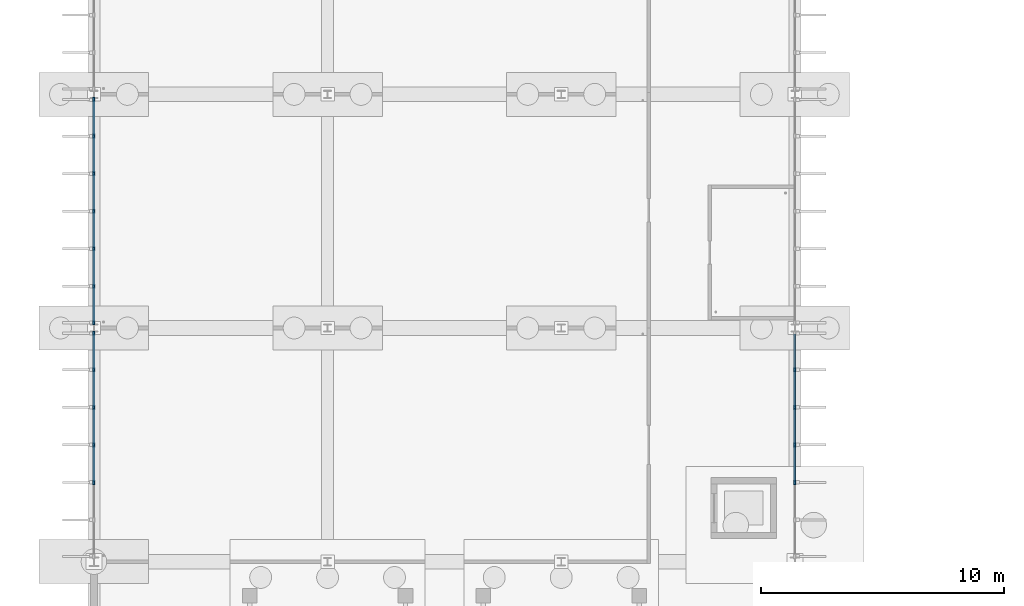
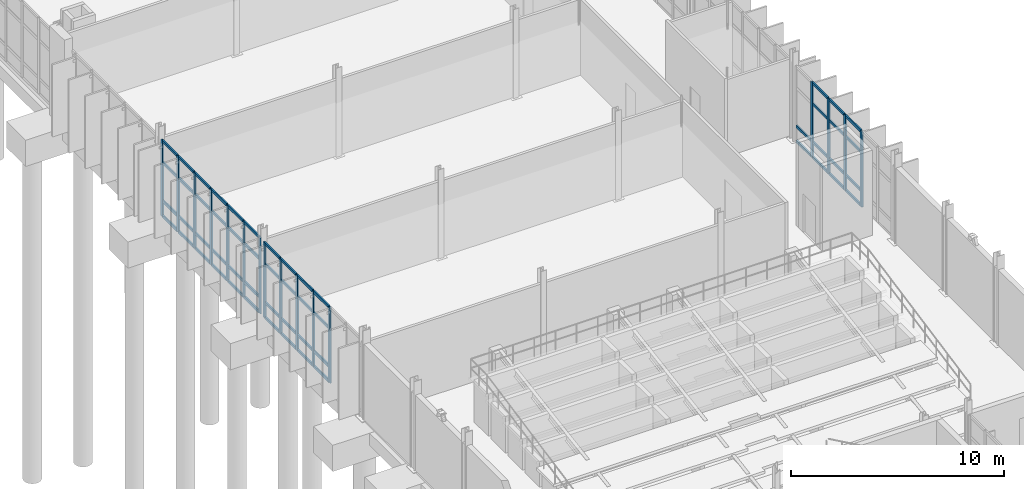
# One storey, part 31 of 111: 70 members, 3 elements without a shape of their own.
"""IFC4 building model written with IfcOpenShell, lengths in metres."""

from ifc_helpers import new_model, si_unit, direction, frame, origin, origin_2d, place, context, subcontext, project, spatial, rectangle, extrude, material, material_profile, profile_set, type_object, element, aggregate, save


model = new_model("IFC4")

# Units and contexts
model_context = context("Model", 3, precision=1e-05, world=origin(), true_north=direction((0.0, 1.0)))
body_context = subcontext(model_context, "Body", "Model", "MODEL_VIEW")
ifc_project = project(units=[si_unit("LENGTHUNIT", "METRE"), si_unit("AREAUNIT", "SQUARE_METRE"), si_unit("VOLUMEUNIT", "CUBIC_METRE"), si_unit("PLANEANGLEUNIT", "RADIAN"), si_unit("MASSUNIT", "GRAM", prefix="KILO")], contexts=[model_context])

# Site, building, storey
site_placement = place(None, origin())
site = spatial("IfcSite", under=ifc_project, at=site_placement, CompositionType="ELEMENT")
building_placement = place(site_placement, origin())
building = spatial("IfcBuilding", under=site, at=building_placement, Name="Dunescarp Central Library", CompositionType="ELEMENT")
storey_placement = place(building_placement, origin())
storey = spatial("IfcBuildingStorey", under=building, at=storey_placement, Name="L00", CompositionType="ELEMENT", Elevation=0.0)

# Curtain wall, members
ifc_material = material(Name="Marine-grade anodised aluminium 6063-T6", Category="aluminium")
curtain_wall_type = type_object("IfcCurtainWallType", Name="ARC-CW-STICK", PredefinedType="NOTDEFINED", material=ifc_material)
curtain_wall_1_placement = place(storey_placement, origin())
curtain_wall_1 = element("IfcCurtainWall", 1, at=curtain_wall_1_placement, inside=storey, type_object=curtain_wall_type, Name="L00 curtain wall CW-V4-112", PredefinedType="NOTDEFINED")
ifc_material_profile_1 = material_profile(ifc_material, rectangle(XDim=0.080078125, YDim=0.179931640625, at=origin_2d()), Name="AL 80x180")
ifc_profile_set_1 = profile_set([ifc_material_profile_1], Name="Marine-grade anodised aluminium 6063-T6")
member_type_1 = type_object("IfcMemberType", Name="ARC-CWM-180", PredefinedType="MULLION", material=ifc_profile_set_1)
member_1_placement = place(storey_placement, frame((0.0, 64.058349609375, 0.0), z_axis=(0.0, 0.0, 1.0), x_axis=(-1.0, 0.0, 0.0)))
member_1 = element("IfcMember", 2, at=member_1_placement, type_object=member_type_1, Name="CW-V4-112 mullion 3", PredefinedType="MULLION", context=body_context, shape_type="SweptSolid", body=[
    extrude(rectangle(XDim=0.080078125, YDim=0.179931640625, at=origin_2d()), origin(), (0.0, 0.0, 1.0), 4.322021484375),
])
member_2_placement = place(storey_placement, frame((0.0, 65.60009765625, 0.0), z_axis=(0.0, 0.0, 1.0), x_axis=(-1.0, 0.0, 0.0)))
member_2 = element("IfcMember", 3, at=member_2_placement, type_object=member_type_1, Name="CW-V4-112 mullion 4", PredefinedType="MULLION", context=body_context, shape_type="SweptSolid", body=[
    extrude(rectangle(XDim=0.080078125, YDim=0.179931640625, at=origin_2d()), origin(), (0.0, 0.0, 1.0), 4.322021484375),
])
member_3_placement = place(storey_placement, frame((0.0, 67.1416015625, 0.0), z_axis=(0.0, 0.0, 1.0), x_axis=(-1.0, 0.0, 0.0)))
member_3 = element("IfcMember", 4, at=member_3_placement, type_object=member_type_1, Name="CW-V4-112 mullion 5", PredefinedType="MULLION", context=body_context, shape_type="SweptSolid", body=[
    extrude(rectangle(XDim=0.080078125, YDim=0.179931640625, at=origin_2d()), origin(), (0.0, 0.0, 1.0), 4.322021484375),
])
member_4_placement = place(storey_placement, frame((0.0, 68.683349609375, 0.0), z_axis=(0.0, 0.0, 1.0), x_axis=(-1.0, 0.0, 0.0)))
member_4 = element("IfcMember", 5, at=member_4_placement, type_object=member_type_1, Name="CW-V4-112 mullion 6", PredefinedType="MULLION", context=body_context, shape_type="SweptSolid", body=[
    extrude(rectangle(XDim=0.080078125, YDim=0.179931640625, at=origin_2d()), origin(), (0.0, 0.0, 1.0), 4.322021484375),
])
member_5_placement = place(storey_placement, frame((0.0, 70.18505859375, 0.0), z_axis=(0.0, 0.0, 1.0), x_axis=(-1.0, 0.0, 0.0)))
member_5 = element("IfcMember", 6, at=member_5_placement, type_object=member_type_1, Name="CW-V4-112 mullion 7", PredefinedType="MULLION", context=body_context, shape_type="SweptSolid", body=[
    extrude(rectangle(XDim=0.080078125, YDim=0.179931640625, at=origin_2d()), origin(), (0.0, 0.0, 1.0), 4.322021484375),
])

curtain_wall_2_placement = place(storey_placement, origin())
curtain_wall_2 = element("IfcCurtainWall", 7, at=curtain_wall_2_placement, inside=storey, type_object=curtain_wall_type, Name="L00 curtain wall CW-V4-113", PredefinedType="NOTDEFINED")
member_6_placement = place(storey_placement, frame((28.800048828125, 68.683349609375, 0.0), z_axis=(0.0, 0.0, 1.0), x_axis=(1.0, 0.0, 0.0)))
member_6 = element("IfcMember", 8, at=member_6_placement, type_object=member_type_1, Name="CW-V4-113 mullion 2", PredefinedType="MULLION", context=body_context, shape_type="SweptSolid", body=[
    extrude(rectangle(XDim=0.080078125, YDim=0.179931640625, at=origin_2d()), origin(), (0.0, 0.0, 1.0), 4.322021484375),
])
member_7_placement = place(storey_placement, frame((28.800048828125, 67.1416015625, 0.0), z_axis=(0.0, 0.0, 1.0), x_axis=(1.0, 0.0, 0.0)))
member_7 = element("IfcMember", 9, at=member_7_placement, type_object=member_type_1, Name="CW-V4-113 mullion 3", PredefinedType="MULLION", context=body_context, shape_type="SweptSolid", body=[
    extrude(rectangle(XDim=0.080078125, YDim=0.179931640625, at=origin_2d()), origin(), (0.0, 0.0, 1.0), 4.322021484375),
])
member_8_placement = place(storey_placement, frame((28.800048828125, 65.60009765625, 0.0), z_axis=(0.0, 0.0, 1.0), x_axis=(1.0, 0.0, 0.0)))
member_8 = element("IfcMember", 10, at=member_8_placement, type_object=member_type_1, Name="CW-V4-113 mullion 4", PredefinedType="MULLION", context=body_context, shape_type="SweptSolid", body=[
    extrude(rectangle(XDim=0.080078125, YDim=0.179931640625, at=origin_2d()), origin(), (0.0, 0.0, 1.0), 4.322021484375),
])
member_9_placement = place(storey_placement, frame((28.800048828125, 64.058349609375, 0.0), z_axis=(0.0, 0.0, 1.0), x_axis=(1.0, 0.0, 0.0)))
member_9 = element("IfcMember", 11, at=member_9_placement, type_object=member_type_1, Name="CW-V4-113 mullion 5", PredefinedType="MULLION", context=body_context, shape_type="SweptSolid", body=[
    extrude(rectangle(XDim=0.080078125, YDim=0.179931640625, at=origin_2d()), origin(), (0.0, 0.0, 1.0), 4.322021484375),
])

curtain_wall_3_placement = place(storey_placement, origin())
curtain_wall_3 = element("IfcCurtainWall", 12, at=curtain_wall_3_placement, inside=storey, type_object=curtain_wall_type, Name="L00 curtain wall CW-V4-114", PredefinedType="NOTDEFINED")
member_10_placement = place(storey_placement, frame((0.0, 70.614990234375, 0.0), z_axis=(0.0, 0.0, 1.0), x_axis=(-1.0, 0.0, 0.0)))
member_10 = element("IfcMember", 13, at=member_10_placement, type_object=member_type_1, Name="CW-V4-114 mullion 1", PredefinedType="MULLION", context=body_context, shape_type="SweptSolid", body=[
    extrude(rectangle(XDim=0.080078125, YDim=0.179931640625, at=origin_2d()), origin(), (0.0, 0.0, 1.0), 4.35498046875),
])
member_11_placement = place(storey_placement, frame((0.0, 72.11669921875, 0.0), z_axis=(0.0, 0.0, 1.0), x_axis=(-1.0, 0.0, 0.0)))
member_11 = element("IfcMember", 14, at=member_11_placement, type_object=member_type_1, Name="CW-V4-114 mullion 2", PredefinedType="MULLION", context=body_context, shape_type="SweptSolid", body=[
    extrude(rectangle(XDim=0.080078125, YDim=0.179931640625, at=origin_2d()), origin(), (0.0, 0.0, 1.0), 4.35498046875),
])
member_12_placement = place(storey_placement, frame((0.0, 73.658447265625, 0.0), z_axis=(0.0, 0.0, 1.0), x_axis=(-1.0, 0.0, 0.0)))
member_12 = element("IfcMember", 15, at=member_12_placement, type_object=member_type_1, Name="CW-V4-114 mullion 3", PredefinedType="MULLION", context=body_context, shape_type="SweptSolid", body=[
    extrude(rectangle(XDim=0.080078125, YDim=0.179931640625, at=origin_2d()), origin(), (0.0, 0.0, 1.0), 4.35498046875),
])
member_13_placement = place(storey_placement, frame((0.0, 75.199951171875, 0.0), z_axis=(0.0, 0.0, 1.0), x_axis=(-1.0, 0.0, 0.0)))
member_13 = element("IfcMember", 16, at=member_13_placement, type_object=member_type_1, Name="CW-V4-114 mullion 4", PredefinedType="MULLION", context=body_context, shape_type="SweptSolid", body=[
    extrude(rectangle(XDim=0.080078125, YDim=0.179931640625, at=origin_2d()), origin(), (0.0, 0.0, 1.0), 4.35498046875),
])
member_14_placement = place(storey_placement, frame((0.0, 76.74169921875, 0.0), z_axis=(0.0, 0.0, 1.0), x_axis=(-1.0, 0.0, 0.0)))
member_14 = element("IfcMember", 17, at=member_14_placement, type_object=member_type_1, Name="CW-V4-114 mullion 5", PredefinedType="MULLION", context=body_context, shape_type="SweptSolid", body=[
    extrude(rectangle(XDim=0.080078125, YDim=0.179931640625, at=origin_2d()), origin(), (0.0, 0.0, 1.0), 4.35498046875),
])
member_15_placement = place(storey_placement, frame((0.0, 78.283447265625, 0.0), z_axis=(0.0, 0.0, 1.0), x_axis=(-1.0, 0.0, 0.0)))
member_15 = element("IfcMember", 18, at=member_15_placement, type_object=member_type_1, Name="CW-V4-114 mullion 6", PredefinedType="MULLION", context=body_context, shape_type="SweptSolid", body=[
    extrude(rectangle(XDim=0.080078125, YDim=0.179931640625, at=origin_2d()), origin(), (0.0, 0.0, 1.0), 4.35498046875),
])
member_16_placement = place(storey_placement, frame((0.0, 79.784912109375, 0.0), z_axis=(0.0, 0.0, 1.0), x_axis=(-1.0, 0.0, 0.0)))
member_16 = element("IfcMember", 19, at=member_16_placement, type_object=member_type_1, Name="CW-V4-114 mullion 7", PredefinedType="MULLION", context=body_context, shape_type="SweptSolid", body=[
    extrude(rectangle(XDim=0.080078125, YDim=0.179931640625, at=origin_2d()), origin(), (0.0, 0.0, 1.0), 4.35498046875),
])

# Member
ifc_material_profile_2 = material_profile(ifc_material, rectangle(XDim=0.080078125, YDim=0.14990234375, at=origin_2d()), Name="AL 80x150")
ifc_profile_set_2 = profile_set([ifc_material_profile_2], Name="Marine-grade anodised aluminium 6063-T6")
member_type_2 = type_object("IfcMemberType", Name="ARC-CWT-150", PredefinedType="USERDEFINED", material=ifc_profile_set_2)
member_17_placement = place(storey_placement, frame((0.0, 64.098388671875, 0.0400390625), z_axis=(0.0, 1.0, 0.0), x_axis=(-1.0, 0.0, 0.0)))
member_17 = element("IfcMember", 20, at=member_17_placement, type_object=member_type_2, Name="CW-V4-112 transom 3.1", ObjectType="TRANSOM", PredefinedType="USERDEFINED", context=body_context, shape_type="SweptSolid", body=[
    extrude(rectangle(XDim=0.080078125, YDim=0.14990234375, at=origin_2d()), origin(), (0.0, 0.0, 1.0), 1.461669921875),
])

member_18_placement = place(storey_placement, frame((0.0, 64.098388671875, 0.89990234375), z_axis=(0.0, 1.0, 0.0), x_axis=(-1.0, 0.0, 0.0)))
member_18 = element("IfcMember", 21, at=member_18_placement, type_object=member_type_2, Name="CW-V4-112 transom 3.2", ObjectType="TRANSOM", PredefinedType="USERDEFINED", context=body_context, shape_type="SweptSolid", body=[
    extrude(rectangle(XDim=0.080078125, YDim=0.14990234375, at=origin_2d()), origin(), (0.0, 0.0, 1.0), 1.461669921875),
])

member_19_placement = place(storey_placement, frame((0.0, 64.098388671875, 3.10009765625), z_axis=(0.0, 1.0, 0.0), x_axis=(-1.0, 0.0, 0.0)))
member_19 = element("IfcMember", 22, at=member_19_placement, type_object=member_type_2, Name="CW-V4-112 transom 3.3", ObjectType="TRANSOM", PredefinedType="USERDEFINED", context=body_context, shape_type="SweptSolid", body=[
    extrude(rectangle(XDim=0.080078125, YDim=0.14990234375, at=origin_2d()), origin(), (0.0, 0.0, 1.0), 1.461669921875),
])

member_20_placement = place(storey_placement, frame((0.0, 64.098388671875, 4.281982421875), z_axis=(0.0, 1.0, 0.0), x_axis=(-1.0, 0.0, 0.0)))
member_20 = element("IfcMember", 23, at=member_20_placement, type_object=member_type_2, Name="CW-V4-112 transom 3.4", ObjectType="TRANSOM", PredefinedType="USERDEFINED", context=body_context, shape_type="SweptSolid", body=[
    extrude(rectangle(XDim=0.080078125, YDim=0.14990234375, at=origin_2d()), origin(), (0.0, 0.0, 1.0), 1.461669921875),
])

member_21_placement = place(storey_placement, frame((0.0, 65.639892578125, 0.0400390625), z_axis=(0.0, 1.0, 0.0), x_axis=(-1.0, 0.0, 0.0)))
member_21 = element("IfcMember", 24, at=member_21_placement, type_object=member_type_2, Name="CW-V4-112 transom 4.1", ObjectType="TRANSOM", PredefinedType="USERDEFINED", context=body_context, shape_type="SweptSolid", body=[
    extrude(rectangle(XDim=0.080078125, YDim=0.14990234375, at=origin_2d()), origin(), (0.0, 0.0, 1.0), 1.461669921875),
])

member_22_placement = place(storey_placement, frame((0.0, 65.639892578125, 0.89990234375), z_axis=(0.0, 1.0, 0.0), x_axis=(-1.0, 0.0, 0.0)))
member_22 = element("IfcMember", 25, at=member_22_placement, type_object=member_type_2, Name="CW-V4-112 transom 4.2", ObjectType="TRANSOM", PredefinedType="USERDEFINED", context=body_context, shape_type="SweptSolid", body=[
    extrude(rectangle(XDim=0.080078125, YDim=0.14990234375, at=origin_2d()), origin(), (0.0, 0.0, 1.0), 1.461669921875),
])

member_23_placement = place(storey_placement, frame((0.0, 65.639892578125, 3.10009765625), z_axis=(0.0, 1.0, 0.0), x_axis=(-1.0, 0.0, 0.0)))
member_23 = element("IfcMember", 26, at=member_23_placement, type_object=member_type_2, Name="CW-V4-112 transom 4.3", ObjectType="TRANSOM", PredefinedType="USERDEFINED", context=body_context, shape_type="SweptSolid", body=[
    extrude(rectangle(XDim=0.080078125, YDim=0.14990234375, at=origin_2d()), origin(), (0.0, 0.0, 1.0), 1.461669921875),
])

member_24_placement = place(storey_placement, frame((0.0, 65.639892578125, 4.281982421875), z_axis=(0.0, 1.0, 0.0), x_axis=(-1.0, 0.0, 0.0)))
member_24 = element("IfcMember", 27, at=member_24_placement, type_object=member_type_2, Name="CW-V4-112 transom 4.4", ObjectType="TRANSOM", PredefinedType="USERDEFINED", context=body_context, shape_type="SweptSolid", body=[
    extrude(rectangle(XDim=0.080078125, YDim=0.14990234375, at=origin_2d()), origin(), (0.0, 0.0, 1.0), 1.461669921875),
])

member_25_placement = place(storey_placement, frame((0.0, 67.181640625, 0.0400390625), z_axis=(0.0, 1.0, 0.0), x_axis=(-1.0, 0.0, 0.0)))
member_25 = element("IfcMember", 28, at=member_25_placement, type_object=member_type_2, Name="CW-V4-112 transom 5.1", ObjectType="TRANSOM", PredefinedType="USERDEFINED", context=body_context, shape_type="SweptSolid", body=[
    extrude(rectangle(XDim=0.080078125, YDim=0.14990234375, at=origin_2d()), origin(), (0.0, 0.0, 1.0), 1.461669921875),
])

member_26_placement = place(storey_placement, frame((0.0, 67.181640625, 0.89990234375), z_axis=(0.0, 1.0, 0.0), x_axis=(-1.0, 0.0, 0.0)))
member_26 = element("IfcMember", 29, at=member_26_placement, type_object=member_type_2, Name="CW-V4-112 transom 5.2", ObjectType="TRANSOM", PredefinedType="USERDEFINED", context=body_context, shape_type="SweptSolid", body=[
    extrude(rectangle(XDim=0.080078125, YDim=0.14990234375, at=origin_2d()), origin(), (0.0, 0.0, 1.0), 1.461669921875),
])

member_27_placement = place(storey_placement, frame((0.0, 67.181640625, 3.10009765625), z_axis=(0.0, 1.0, 0.0), x_axis=(-1.0, 0.0, 0.0)))
member_27 = element("IfcMember", 30, at=member_27_placement, type_object=member_type_2, Name="CW-V4-112 transom 5.3", ObjectType="TRANSOM", PredefinedType="USERDEFINED", context=body_context, shape_type="SweptSolid", body=[
    extrude(rectangle(XDim=0.080078125, YDim=0.14990234375, at=origin_2d()), origin(), (0.0, 0.0, 1.0), 1.461669921875),
])

member_28_placement = place(storey_placement, frame((0.0, 67.181640625, 4.281982421875), z_axis=(0.0, 1.0, 0.0), x_axis=(-1.0, 0.0, 0.0)))
member_28 = element("IfcMember", 31, at=member_28_placement, type_object=member_type_2, Name="CW-V4-112 transom 5.4", ObjectType="TRANSOM", PredefinedType="USERDEFINED", context=body_context, shape_type="SweptSolid", body=[
    extrude(rectangle(XDim=0.080078125, YDim=0.14990234375, at=origin_2d()), origin(), (0.0, 0.0, 1.0), 1.461669921875),
])

member_29_placement = place(storey_placement, frame((0.0, 68.723388671875, 0.0400390625), z_axis=(0.0, 1.0, 0.0), x_axis=(-1.0, 0.0, 0.0)))
member_29 = element("IfcMember", 32, at=member_29_placement, type_object=member_type_2, Name="CW-V4-112 transom 6.1", ObjectType="TRANSOM", PredefinedType="USERDEFINED", context=body_context, shape_type="SweptSolid", body=[
    extrude(rectangle(XDim=0.080078125, YDim=0.14990234375, at=origin_2d()), origin(), (0.0, 0.0, 1.0), 1.421630859375),
])

member_30_placement = place(storey_placement, frame((0.0, 68.723388671875, 0.89990234375), z_axis=(0.0, 1.0, 0.0), x_axis=(-1.0, 0.0, 0.0)))
member_30 = element("IfcMember", 33, at=member_30_placement, type_object=member_type_2, Name="CW-V4-112 transom 6.2", ObjectType="TRANSOM", PredefinedType="USERDEFINED", context=body_context, shape_type="SweptSolid", body=[
    extrude(rectangle(XDim=0.080078125, YDim=0.14990234375, at=origin_2d()), origin(), (0.0, 0.0, 1.0), 1.421630859375),
])

member_31_placement = place(storey_placement, frame((0.0, 68.723388671875, 3.10009765625), z_axis=(0.0, 1.0, 0.0), x_axis=(-1.0, 0.0, 0.0)))
member_31 = element("IfcMember", 34, at=member_31_placement, type_object=member_type_2, Name="CW-V4-112 transom 6.3", ObjectType="TRANSOM", PredefinedType="USERDEFINED", context=body_context, shape_type="SweptSolid", body=[
    extrude(rectangle(XDim=0.080078125, YDim=0.14990234375, at=origin_2d()), origin(), (0.0, 0.0, 1.0), 1.421630859375),
])

member_32_placement = place(storey_placement, frame((0.0, 68.723388671875, 4.281982421875), z_axis=(0.0, 1.0, 0.0), x_axis=(-1.0, 0.0, 0.0)))
member_32 = element("IfcMember", 35, at=member_32_placement, type_object=member_type_2, Name="CW-V4-112 transom 6.4", ObjectType="TRANSOM", PredefinedType="USERDEFINED", context=body_context, shape_type="SweptSolid", body=[
    extrude(rectangle(XDim=0.080078125, YDim=0.14990234375, at=origin_2d()), origin(), (0.0, 0.0, 1.0), 1.421630859375),
])

aggregate(curtain_wall_1, [member_1, member_2, member_3, member_4, member_5, member_17, member_18, member_19, member_20, member_21, member_22, member_23, member_24, member_25, member_26, member_27, member_28, member_29, member_30, member_31, member_32])

member_33_placement = place(storey_placement, frame((28.800048828125, 70.14501953125, 0.0400390625), z_axis=(0.0, -1.0, 0.0), x_axis=(1.0, 0.0, 0.0)))
member_33 = element("IfcMember", 36, at=member_33_placement, type_object=member_type_2, Name="CW-V4-113 transom 1.1", ObjectType="TRANSOM", PredefinedType="USERDEFINED", context=body_context, shape_type="SweptSolid", body=[
    extrude(rectangle(XDim=0.080078125, YDim=0.14990234375, at=origin_2d()), origin(), (0.0, 0.0, 1.0), 1.421630859375),
])

member_34_placement = place(storey_placement, frame((28.800048828125, 70.14501953125, 0.89990234375), z_axis=(0.0, -1.0, 0.0), x_axis=(1.0, 0.0, 0.0)))
member_34 = element("IfcMember", 37, at=member_34_placement, type_object=member_type_2, Name="CW-V4-113 transom 1.2", ObjectType="TRANSOM", PredefinedType="USERDEFINED", context=body_context, shape_type="SweptSolid", body=[
    extrude(rectangle(XDim=0.080078125, YDim=0.14990234375, at=origin_2d()), origin(), (0.0, 0.0, 1.0), 1.421630859375),
])

member_35_placement = place(storey_placement, frame((28.800048828125, 68.643310546875, 0.0400390625), z_axis=(0.0, -1.0, 0.0), x_axis=(1.0, 0.0, 0.0)))
member_35 = element("IfcMember", 38, at=member_35_placement, type_object=member_type_2, Name="CW-V4-113 transom 2.1", ObjectType="TRANSOM", PredefinedType="USERDEFINED", context=body_context, shape_type="SweptSolid", body=[
    extrude(rectangle(XDim=0.080078125, YDim=0.14990234375, at=origin_2d()), origin(), (0.0, 0.0, 1.0), 1.461669921875),
])

member_36_placement = place(storey_placement, frame((28.800048828125, 68.643310546875, 0.89990234375), z_axis=(0.0, -1.0, 0.0), x_axis=(1.0, 0.0, 0.0)))
member_36 = element("IfcMember", 39, at=member_36_placement, type_object=member_type_2, Name="CW-V4-113 transom 2.2", ObjectType="TRANSOM", PredefinedType="USERDEFINED", context=body_context, shape_type="SweptSolid", body=[
    extrude(rectangle(XDim=0.080078125, YDim=0.14990234375, at=origin_2d()), origin(), (0.0, 0.0, 1.0), 1.461669921875),
])

member_37_placement = place(storey_placement, frame((28.800048828125, 68.643310546875, 3.10009765625), z_axis=(0.0, -1.0, 0.0), x_axis=(1.0, 0.0, 0.0)))
member_37 = element("IfcMember", 40, at=member_37_placement, type_object=member_type_2, Name="CW-V4-113 transom 2.3", ObjectType="TRANSOM", PredefinedType="USERDEFINED", context=body_context, shape_type="SweptSolid", body=[
    extrude(rectangle(XDim=0.080078125, YDim=0.14990234375, at=origin_2d()), origin(), (0.0, 0.0, 1.0), 1.461669921875),
])

member_38_placement = place(storey_placement, frame((28.800048828125, 68.643310546875, 4.281982421875), z_axis=(0.0, -1.0, 0.0), x_axis=(1.0, 0.0, 0.0)))
member_38 = element("IfcMember", 41, at=member_38_placement, type_object=member_type_2, Name="CW-V4-113 transom 2.4", ObjectType="TRANSOM", PredefinedType="USERDEFINED", context=body_context, shape_type="SweptSolid", body=[
    extrude(rectangle(XDim=0.080078125, YDim=0.14990234375, at=origin_2d()), origin(), (0.0, 0.0, 1.0), 1.461669921875),
])

member_39_placement = place(storey_placement, frame((28.800048828125, 67.1015625, 0.0400390625), z_axis=(0.0, -1.0, 0.0), x_axis=(1.0, 0.0, 0.0)))
member_39 = element("IfcMember", 42, at=member_39_placement, type_object=member_type_2, Name="CW-V4-113 transom 3.1", ObjectType="TRANSOM", PredefinedType="USERDEFINED", context=body_context, shape_type="SweptSolid", body=[
    extrude(rectangle(XDim=0.080078125, YDim=0.14990234375, at=origin_2d()), origin(), (0.0, 0.0, 1.0), 1.461669921875),
])

member_40_placement = place(storey_placement, frame((28.800048828125, 67.1015625, 0.89990234375), z_axis=(0.0, -1.0, 0.0), x_axis=(1.0, 0.0, 0.0)))
member_40 = element("IfcMember", 43, at=member_40_placement, type_object=member_type_2, Name="CW-V4-113 transom 3.2", ObjectType="TRANSOM", PredefinedType="USERDEFINED", context=body_context, shape_type="SweptSolid", body=[
    extrude(rectangle(XDim=0.080078125, YDim=0.14990234375, at=origin_2d()), origin(), (0.0, 0.0, 1.0), 1.461669921875),
])

member_41_placement = place(storey_placement, frame((28.800048828125, 67.1015625, 3.10009765625), z_axis=(0.0, -1.0, 0.0), x_axis=(1.0, 0.0, 0.0)))
member_41 = element("IfcMember", 44, at=member_41_placement, type_object=member_type_2, Name="CW-V4-113 transom 3.3", ObjectType="TRANSOM", PredefinedType="USERDEFINED", context=body_context, shape_type="SweptSolid", body=[
    extrude(rectangle(XDim=0.080078125, YDim=0.14990234375, at=origin_2d()), origin(), (0.0, 0.0, 1.0), 1.461669921875),
])

member_42_placement = place(storey_placement, frame((28.800048828125, 67.1015625, 4.281982421875), z_axis=(0.0, -1.0, 0.0), x_axis=(1.0, 0.0, 0.0)))
member_42 = element("IfcMember", 45, at=member_42_placement, type_object=member_type_2, Name="CW-V4-113 transom 3.4", ObjectType="TRANSOM", PredefinedType="USERDEFINED", context=body_context, shape_type="SweptSolid", body=[
    extrude(rectangle(XDim=0.080078125, YDim=0.14990234375, at=origin_2d()), origin(), (0.0, 0.0, 1.0), 1.461669921875),
])

member_43_placement = place(storey_placement, frame((28.800048828125, 65.56005859375, 0.0400390625), z_axis=(0.0, -1.0, 0.0), x_axis=(1.0, 0.0, 0.0)))
member_43 = element("IfcMember", 46, at=member_43_placement, type_object=member_type_2, Name="CW-V4-113 transom 4.1", ObjectType="TRANSOM", PredefinedType="USERDEFINED", context=body_context, shape_type="SweptSolid", body=[
    extrude(rectangle(XDim=0.080078125, YDim=0.14990234375, at=origin_2d()), origin(), (0.0, 0.0, 1.0), 1.461669921875),
])

member_44_placement = place(storey_placement, frame((28.800048828125, 65.56005859375, 0.89990234375), z_axis=(0.0, -1.0, 0.0), x_axis=(1.0, 0.0, 0.0)))
member_44 = element("IfcMember", 47, at=member_44_placement, type_object=member_type_2, Name="CW-V4-113 transom 4.2", ObjectType="TRANSOM", PredefinedType="USERDEFINED", context=body_context, shape_type="SweptSolid", body=[
    extrude(rectangle(XDim=0.080078125, YDim=0.14990234375, at=origin_2d()), origin(), (0.0, 0.0, 1.0), 1.461669921875),
])

member_45_placement = place(storey_placement, frame((28.800048828125, 65.56005859375, 3.10009765625), z_axis=(0.0, -1.0, 0.0), x_axis=(1.0, 0.0, 0.0)))
member_45 = element("IfcMember", 48, at=member_45_placement, type_object=member_type_2, Name="CW-V4-113 transom 4.3", ObjectType="TRANSOM", PredefinedType="USERDEFINED", context=body_context, shape_type="SweptSolid", body=[
    extrude(rectangle(XDim=0.080078125, YDim=0.14990234375, at=origin_2d()), origin(), (0.0, 0.0, 1.0), 1.461669921875),
])

member_46_placement = place(storey_placement, frame((28.800048828125, 65.56005859375, 4.281982421875), z_axis=(0.0, -1.0, 0.0), x_axis=(1.0, 0.0, 0.0)))
member_46 = element("IfcMember", 49, at=member_46_placement, type_object=member_type_2, Name="CW-V4-113 transom 4.4", ObjectType="TRANSOM", PredefinedType="USERDEFINED", context=body_context, shape_type="SweptSolid", body=[
    extrude(rectangle(XDim=0.080078125, YDim=0.14990234375, at=origin_2d()), origin(), (0.0, 0.0, 1.0), 1.461669921875),
])

aggregate(curtain_wall_2, [member_6, member_7, member_8, member_9, member_33, member_34, member_35, member_36, member_37, member_38, member_39, member_40, member_41, member_42, member_43, member_44, member_45, member_46])

member_47_placement = place(storey_placement, frame((0.0, 70.655029296875, 0.0400390625), z_axis=(0.0, 1.0, 0.0), x_axis=(-1.0, 0.0, 0.0)))
member_47 = element("IfcMember", 50, at=member_47_placement, type_object=member_type_2, Name="CW-V4-114 transom 1.1", ObjectType="TRANSOM", PredefinedType="USERDEFINED", context=body_context, shape_type="SweptSolid", body=[
    extrude(rectangle(XDim=0.080078125, YDim=0.14990234375, at=origin_2d()), origin(), (0.0, 0.0, 1.0), 1.421630859375),
])

member_48_placement = place(storey_placement, frame((0.0, 70.655029296875, 0.89990234375), z_axis=(0.0, 1.0, 0.0), x_axis=(-1.0, 0.0, 0.0)))
member_48 = element("IfcMember", 51, at=member_48_placement, type_object=member_type_2, Name="CW-V4-114 transom 1.2", ObjectType="TRANSOM", PredefinedType="USERDEFINED", context=body_context, shape_type="SweptSolid", body=[
    extrude(rectangle(XDim=0.080078125, YDim=0.14990234375, at=origin_2d()), origin(), (0.0, 0.0, 1.0), 1.421630859375),
])

member_49_placement = place(storey_placement, frame((0.0, 70.655029296875, 3.10009765625), z_axis=(0.0, 1.0, 0.0), x_axis=(-1.0, 0.0, 0.0)))
member_49 = element("IfcMember", 52, at=member_49_placement, type_object=member_type_2, Name="CW-V4-114 transom 1.3", ObjectType="TRANSOM", PredefinedType="USERDEFINED", context=body_context, shape_type="SweptSolid", body=[
    extrude(rectangle(XDim=0.080078125, YDim=0.14990234375, at=origin_2d()), origin(), (0.0, 0.0, 1.0), 1.421630859375),
])

member_50_placement = place(storey_placement, frame((0.0, 70.655029296875, 4.31494140625), z_axis=(0.0, 1.0, 0.0), x_axis=(-1.0, 0.0, 0.0)))
member_50 = element("IfcMember", 53, at=member_50_placement, type_object=member_type_2, Name="CW-V4-114 transom 1.4", ObjectType="TRANSOM", PredefinedType="USERDEFINED", context=body_context, shape_type="SweptSolid", body=[
    extrude(rectangle(XDim=0.080078125, YDim=0.14990234375, at=origin_2d()), origin(), (0.0, 0.0, 1.0), 1.421630859375),
])

member_51_placement = place(storey_placement, frame((0.0, 72.15673828125, 0.0400390625), z_axis=(0.0, 1.0, 0.0), x_axis=(-1.0, 0.0, 0.0)))
member_51 = element("IfcMember", 54, at=member_51_placement, type_object=member_type_2, Name="CW-V4-114 transom 2.1", ObjectType="TRANSOM", PredefinedType="USERDEFINED", context=body_context, shape_type="SweptSolid", body=[
    extrude(rectangle(XDim=0.080078125, YDim=0.14990234375, at=origin_2d()), origin(), (0.0, 0.0, 1.0), 1.461669921875),
])

member_52_placement = place(storey_placement, frame((0.0, 72.15673828125, 0.89990234375), z_axis=(0.0, 1.0, 0.0), x_axis=(-1.0, 0.0, 0.0)))
member_52 = element("IfcMember", 55, at=member_52_placement, type_object=member_type_2, Name="CW-V4-114 transom 2.2", ObjectType="TRANSOM", PredefinedType="USERDEFINED", context=body_context, shape_type="SweptSolid", body=[
    extrude(rectangle(XDim=0.080078125, YDim=0.14990234375, at=origin_2d()), origin(), (0.0, 0.0, 1.0), 1.461669921875),
])

member_53_placement = place(storey_placement, frame((0.0, 72.15673828125, 3.10009765625), z_axis=(0.0, 1.0, 0.0), x_axis=(-1.0, 0.0, 0.0)))
member_53 = element("IfcMember", 56, at=member_53_placement, type_object=member_type_2, Name="CW-V4-114 transom 2.3", ObjectType="TRANSOM", PredefinedType="USERDEFINED", context=body_context, shape_type="SweptSolid", body=[
    extrude(rectangle(XDim=0.080078125, YDim=0.14990234375, at=origin_2d()), origin(), (0.0, 0.0, 1.0), 1.461669921875),
])

member_54_placement = place(storey_placement, frame((0.0, 72.15673828125, 4.31494140625), z_axis=(0.0, 1.0, 0.0), x_axis=(-1.0, 0.0, 0.0)))
member_54 = element("IfcMember", 57, at=member_54_placement, type_object=member_type_2, Name="CW-V4-114 transom 2.4", ObjectType="TRANSOM", PredefinedType="USERDEFINED", context=body_context, shape_type="SweptSolid", body=[
    extrude(rectangle(XDim=0.080078125, YDim=0.14990234375, at=origin_2d()), origin(), (0.0, 0.0, 1.0), 1.461669921875),
])

member_55_placement = place(storey_placement, frame((0.0, 73.6982421875, 0.0400390625), z_axis=(0.0, 1.0, 0.0), x_axis=(-1.0, 0.0, 0.0)))
member_55 = element("IfcMember", 58, at=member_55_placement, type_object=member_type_2, Name="CW-V4-114 transom 3.1", ObjectType="TRANSOM", PredefinedType="USERDEFINED", context=body_context, shape_type="SweptSolid", body=[
    extrude(rectangle(XDim=0.080078125, YDim=0.14990234375, at=origin_2d()), origin(), (0.0, 0.0, 1.0), 1.461669921875),
])

member_56_placement = place(storey_placement, frame((0.0, 73.6982421875, 0.89990234375), z_axis=(0.0, 1.0, 0.0), x_axis=(-1.0, 0.0, 0.0)))
member_56 = element("IfcMember", 59, at=member_56_placement, type_object=member_type_2, Name="CW-V4-114 transom 3.2", ObjectType="TRANSOM", PredefinedType="USERDEFINED", context=body_context, shape_type="SweptSolid", body=[
    extrude(rectangle(XDim=0.080078125, YDim=0.14990234375, at=origin_2d()), origin(), (0.0, 0.0, 1.0), 1.461669921875),
])

member_57_placement = place(storey_placement, frame((0.0, 73.6982421875, 3.10009765625), z_axis=(0.0, 1.0, 0.0), x_axis=(-1.0, 0.0, 0.0)))
member_57 = element("IfcMember", 60, at=member_57_placement, type_object=member_type_2, Name="CW-V4-114 transom 3.3", ObjectType="TRANSOM", PredefinedType="USERDEFINED", context=body_context, shape_type="SweptSolid", body=[
    extrude(rectangle(XDim=0.080078125, YDim=0.14990234375, at=origin_2d()), origin(), (0.0, 0.0, 1.0), 1.461669921875),
])

member_58_placement = place(storey_placement, frame((0.0, 73.6982421875, 4.31494140625), z_axis=(0.0, 1.0, 0.0), x_axis=(-1.0, 0.0, 0.0)))
member_58 = element("IfcMember", 61, at=member_58_placement, type_object=member_type_2, Name="CW-V4-114 transom 3.4", ObjectType="TRANSOM", PredefinedType="USERDEFINED", context=body_context, shape_type="SweptSolid", body=[
    extrude(rectangle(XDim=0.080078125, YDim=0.14990234375, at=origin_2d()), origin(), (0.0, 0.0, 1.0), 1.461669921875),
])

member_59_placement = place(storey_placement, frame((0.0, 75.239990234375, 0.0400390625), z_axis=(0.0, 1.0, 0.0), x_axis=(-1.0, 0.0, 0.0)))
member_59 = element("IfcMember", 62, at=member_59_placement, type_object=member_type_2, Name="CW-V4-114 transom 4.1", ObjectType="TRANSOM", PredefinedType="USERDEFINED", context=body_context, shape_type="SweptSolid", body=[
    extrude(rectangle(XDim=0.080078125, YDim=0.14990234375, at=origin_2d()), origin(), (0.0, 0.0, 1.0), 1.461669921875),
])

member_60_placement = place(storey_placement, frame((0.0, 75.239990234375, 0.89990234375), z_axis=(0.0, 1.0, 0.0), x_axis=(-1.0, 0.0, 0.0)))
member_60 = element("IfcMember", 63, at=member_60_placement, type_object=member_type_2, Name="CW-V4-114 transom 4.2", ObjectType="TRANSOM", PredefinedType="USERDEFINED", context=body_context, shape_type="SweptSolid", body=[
    extrude(rectangle(XDim=0.080078125, YDim=0.14990234375, at=origin_2d()), origin(), (0.0, 0.0, 1.0), 1.461669921875),
])

member_61_placement = place(storey_placement, frame((0.0, 75.239990234375, 3.10009765625), z_axis=(0.0, 1.0, 0.0), x_axis=(-1.0, 0.0, 0.0)))
member_61 = element("IfcMember", 64, at=member_61_placement, type_object=member_type_2, Name="CW-V4-114 transom 4.3", ObjectType="TRANSOM", PredefinedType="USERDEFINED", context=body_context, shape_type="SweptSolid", body=[
    extrude(rectangle(XDim=0.080078125, YDim=0.14990234375, at=origin_2d()), origin(), (0.0, 0.0, 1.0), 1.461669921875),
])

member_62_placement = place(storey_placement, frame((0.0, 75.239990234375, 4.31494140625), z_axis=(0.0, 1.0, 0.0), x_axis=(-1.0, 0.0, 0.0)))
member_62 = element("IfcMember", 65, at=member_62_placement, type_object=member_type_2, Name="CW-V4-114 transom 4.4", ObjectType="TRANSOM", PredefinedType="USERDEFINED", context=body_context, shape_type="SweptSolid", body=[
    extrude(rectangle(XDim=0.080078125, YDim=0.14990234375, at=origin_2d()), origin(), (0.0, 0.0, 1.0), 1.461669921875),
])

member_63_placement = place(storey_placement, frame((0.0, 76.78173828125, 0.0400390625), z_axis=(0.0, 1.0, 0.0), x_axis=(-1.0, 0.0, 0.0)))
member_63 = element("IfcMember", 66, at=member_63_placement, type_object=member_type_2, Name="CW-V4-114 transom 5.1", ObjectType="TRANSOM", PredefinedType="USERDEFINED", context=body_context, shape_type="SweptSolid", body=[
    extrude(rectangle(XDim=0.080078125, YDim=0.14990234375, at=origin_2d()), origin(), (0.0, 0.0, 1.0), 1.461669921875),
])

member_64_placement = place(storey_placement, frame((0.0, 76.78173828125, 0.89990234375), z_axis=(0.0, 1.0, 0.0), x_axis=(-1.0, 0.0, 0.0)))
member_64 = element("IfcMember", 67, at=member_64_placement, type_object=member_type_2, Name="CW-V4-114 transom 5.2", ObjectType="TRANSOM", PredefinedType="USERDEFINED", context=body_context, shape_type="SweptSolid", body=[
    extrude(rectangle(XDim=0.080078125, YDim=0.14990234375, at=origin_2d()), origin(), (0.0, 0.0, 1.0), 1.461669921875),
])

member_65_placement = place(storey_placement, frame((0.0, 76.78173828125, 3.10009765625), z_axis=(0.0, 1.0, 0.0), x_axis=(-1.0, 0.0, 0.0)))
member_65 = element("IfcMember", 68, at=member_65_placement, type_object=member_type_2, Name="CW-V4-114 transom 5.3", ObjectType="TRANSOM", PredefinedType="USERDEFINED", context=body_context, shape_type="SweptSolid", body=[
    extrude(rectangle(XDim=0.080078125, YDim=0.14990234375, at=origin_2d()), origin(), (0.0, 0.0, 1.0), 1.461669921875),
])

member_66_placement = place(storey_placement, frame((0.0, 76.78173828125, 4.31494140625), z_axis=(0.0, 1.0, 0.0), x_axis=(-1.0, 0.0, 0.0)))
member_66 = element("IfcMember", 69, at=member_66_placement, type_object=member_type_2, Name="CW-V4-114 transom 5.4", ObjectType="TRANSOM", PredefinedType="USERDEFINED", context=body_context, shape_type="SweptSolid", body=[
    extrude(rectangle(XDim=0.080078125, YDim=0.14990234375, at=origin_2d()), origin(), (0.0, 0.0, 1.0), 1.461669921875),
])

member_67_placement = place(storey_placement, frame((0.0, 78.3232421875, 0.0400390625), z_axis=(0.0, 1.0, 0.0), x_axis=(-1.0, 0.0, 0.0)))
member_67 = element("IfcMember", 70, at=member_67_placement, type_object=member_type_2, Name="CW-V4-114 transom 6.1", ObjectType="TRANSOM", PredefinedType="USERDEFINED", context=body_context, shape_type="SweptSolid", body=[
    extrude(rectangle(XDim=0.080078125, YDim=0.14990234375, at=origin_2d()), origin(), (0.0, 0.0, 1.0), 1.421875),
])

member_68_placement = place(storey_placement, frame((0.0, 78.3232421875, 0.89990234375), z_axis=(0.0, 1.0, 0.0), x_axis=(-1.0, 0.0, 0.0)))
member_68 = element("IfcMember", 71, at=member_68_placement, type_object=member_type_2, Name="CW-V4-114 transom 6.2", ObjectType="TRANSOM", PredefinedType="USERDEFINED", context=body_context, shape_type="SweptSolid", body=[
    extrude(rectangle(XDim=0.080078125, YDim=0.14990234375, at=origin_2d()), origin(), (0.0, 0.0, 1.0), 1.421875),
])

member_69_placement = place(storey_placement, frame((0.0, 78.3232421875, 3.10009765625), z_axis=(0.0, 1.0, 0.0), x_axis=(-1.0, 0.0, 0.0)))
member_69 = element("IfcMember", 72, at=member_69_placement, type_object=member_type_2, Name="CW-V4-114 transom 6.3", ObjectType="TRANSOM", PredefinedType="USERDEFINED", context=body_context, shape_type="SweptSolid", body=[
    extrude(rectangle(XDim=0.080078125, YDim=0.14990234375, at=origin_2d()), origin(), (0.0, 0.0, 1.0), 1.421875),
])

member_70_placement = place(storey_placement, frame((0.0, 78.3232421875, 4.31494140625), z_axis=(0.0, 1.0, 0.0), x_axis=(-1.0, 0.0, 0.0)))
member_70 = element("IfcMember", 73, at=member_70_placement, type_object=member_type_2, Name="CW-V4-114 transom 6.4", ObjectType="TRANSOM", PredefinedType="USERDEFINED", context=body_context, shape_type="SweptSolid", body=[
    extrude(rectangle(XDim=0.080078125, YDim=0.14990234375, at=origin_2d()), origin(), (0.0, 0.0, 1.0), 1.421875),
])

aggregate(curtain_wall_3, [member_10, member_11, member_12, member_13, member_14, member_15, member_16, member_47, member_48, member_49, member_50, member_51, member_52, member_53, member_54, member_55, member_56, member_57, member_58, member_59, member_60, member_61, member_62, member_63, member_64, member_65, member_66, member_67, member_68, member_69, member_70])

save(model, "model.ifc")
